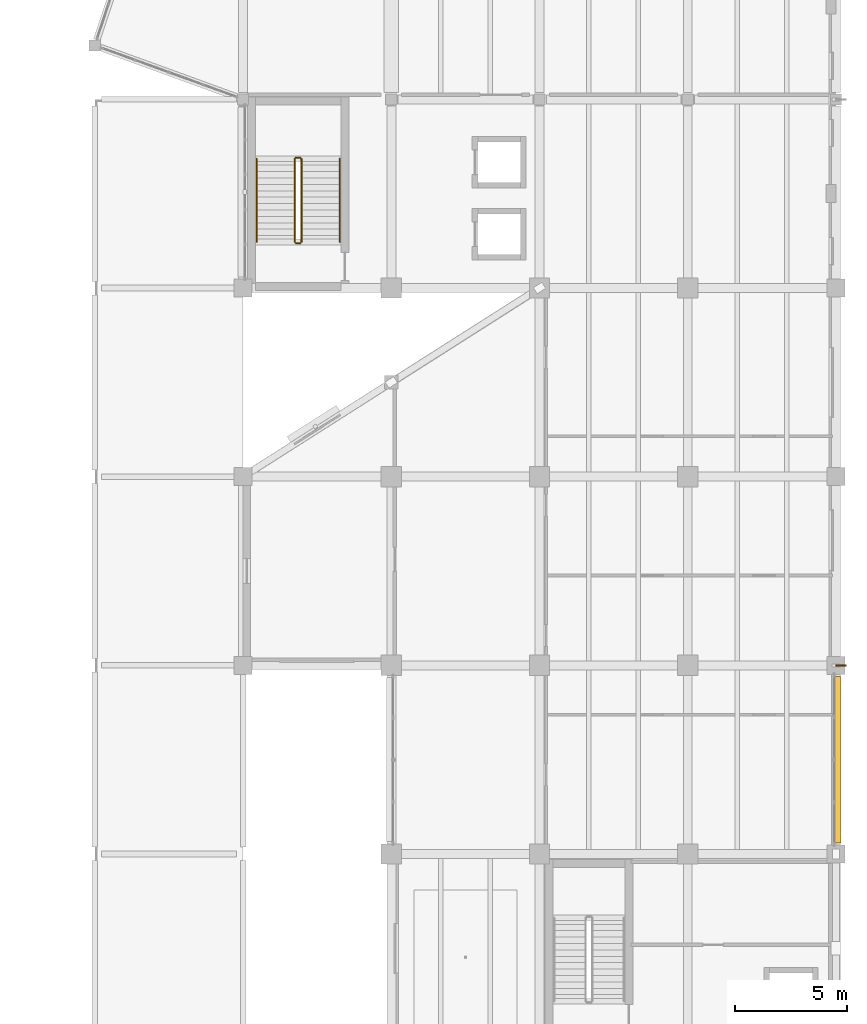
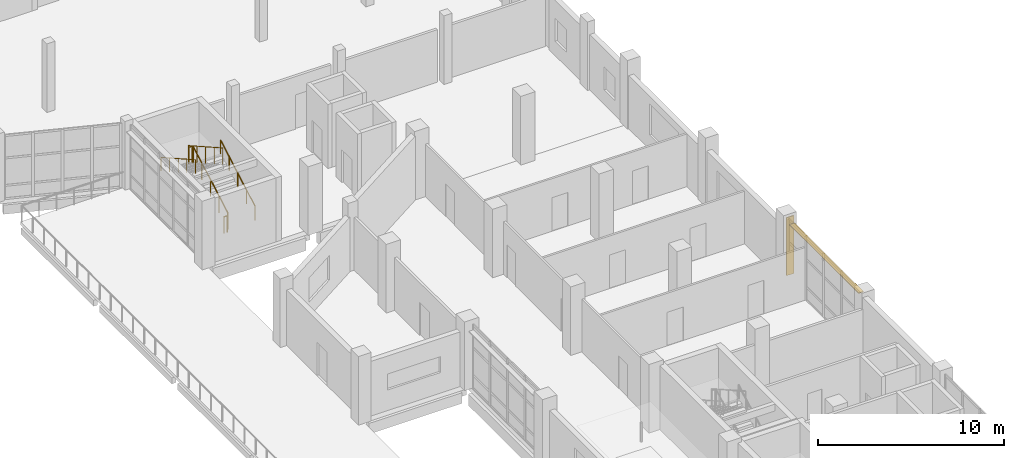
# One storey, part 80 of 83: 6 railings, 2 shading devices.
"""IFC4 building model written with IfcOpenShell, lengths in metres."""

import ifcopenshell
import ifcopenshell.guid

model = None  # the IFC model being written
_history = None  # IfcOwnerHistory: only IFC2X3 demands one
_inside = {}  # id of a spatial element -> (the spatial element, [elements in it])
_under = {}  # id of a project, library or spatial element -> (it, [spatial elements below it])
_declared = {}  # id of a project -> (the project, [libraries it declares])
_typed = {}  # id of a type object -> (the type object, [elements of that type])
_made_of = {}  # id of a material, layer set ... -> (it, [elements and type objects made of it])


def new_model(schema):
    """Start an empty IFC model of exactly this schema.

    Asked for "IFC4X3", IfcOpenShell would pick the latest addendum, in which some entities
    have other attributes; the version numbers below select the first issue.
    IFC2X3 requires an IfcOwnerHistory on every rooted entity: one is made here for all.
    """
    global model, _history
    if schema == "IFC4X3":
        model = ifcopenshell.file(schema_version=(4, 3, 0, 0))
    else:
        model = ifcopenshell.file(schema=schema)
    _inside.clear()
    _under.clear()
    _declared.clear()
    _typed.clear()
    _made_of.clear()
    _history = None
    if model.schema == "IFC2X3":
        org = make("IfcOrganization", Name="unknown")
        user = make(
            "IfcPersonAndOrganization",
            ThePerson=make("IfcPerson", FamilyName="unknown"),
            TheOrganization=org,
        )
        app = make(
            "IfcApplication",
            ApplicationDeveloper=org,
            Version="unknown",
            ApplicationFullName="unknown",
            ApplicationIdentifier="unknown",
        )
        _history = make(
            "IfcOwnerHistory",
            OwningUser=user,
            OwningApplication=app,
            ChangeAction="ADDED",
            CreationDate=0,
        )
    return model


def make(cls, **values):
    """One entity of the class cls with the attributes given. An attribute that is None is left unset."""
    return model.create_entity(
        cls, **{name: value for name, value in values.items() if value is not None}
    )


def rooted(cls, **values):
    """An entity with a GlobalId (a new one), such as an element, a storey or a relation."""
    return make(cls, GlobalId=ifcopenshell.guid.new(), OwnerHistory=_history, **values)


def si_unit(unit_type, name, prefix=None):
    """IfcSIUnit, for example si_unit("LENGTHUNIT", "METRE", prefix="MILLI")."""
    return make("IfcSIUnit", UnitType=unit_type, Prefix=prefix, Name=name)


def assignment(units):
    """IfcUnitAssignment: the units of a project."""
    return None if units is None else make("IfcUnitAssignment", Units=units)


def point(xyz):
    """IfcCartesianPoint."""
    return None if xyz is None else make("IfcCartesianPoint", Coordinates=xyz)


def direction(xyz):
    """IfcDirection."""
    return None if xyz is None else make("IfcDirection", DirectionRatios=xyz)


def frame(location, z_axis=None, x_axis=None):
    """IfcAxis2Placement3D, a coordinate frame: its origin and axes. An axis left out is left unset."""
    return make(
        "IfcAxis2Placement3D",
        Location=point(location),
        Axis=direction(z_axis),
        RefDirection=direction(x_axis),
    )


def frame_2d(location, x_axis=None):
    """IfcAxis2Placement2D, a coordinate frame in the plane: its origin and x axis."""
    return make(
        "IfcAxis2Placement2D", Location=point(location), RefDirection=direction(x_axis)
    )


def origin():
    """The frame at (0, 0, 0) with its axes left unset."""
    return frame((0.0, 0.0, 0.0))


def origin_2d():
    """The frame at (0, 0) in the plane with its x axis left unset."""
    return frame_2d((0.0, 0.0))


def place(relative_to, where):
    """IfcLocalPlacement: puts the frame where relative to a parent placement (None: the world)."""
    return make(
        "IfcLocalPlacement", PlacementRelTo=relative_to, RelativePlacement=where
    )


def context(
    kind, dimensions, precision=None, world=None, true_north=None, identifier=None
):
    """IfcGeometricRepresentationContext, for example the 3D "Model" context."""
    return make(
        "IfcGeometricRepresentationContext",
        ContextIdentifier=identifier,
        ContextType=kind,
        CoordinateSpaceDimension=dimensions,
        Precision=precision,
        WorldCoordinateSystem=world,
        TrueNorth=true_north,
    )


def subcontext(parent, identifier, kind, view, scale=None):
    """IfcGeometricRepresentationSubContext, for example "Body" below "Model"."""
    return make(
        "IfcGeometricRepresentationSubContext",
        ContextIdentifier=identifier,
        ContextType=kind,
        ParentContext=parent,
        TargetScale=scale,
        TargetView=view,
    )


def project(units=None, contexts=None):
    """IfcProject with its units and contexts."""
    return rooted(
        "IfcProject",
        Name="project",
        RepresentationContexts=contexts,
        UnitsInContext=assignment(units),
    )


def spatial(cls, under=None, at=None, **own):
    """A site, building, storey or space (cls), placed at a placement, below another one or the project."""
    s = rooted(cls, ObjectPlacement=at, **own)
    if under is not None:
        _under.setdefault(under.id(), (under, []))[1].append(s)
    return s


def profile(cls, at=None, kind="AREA", **sizes):
    """A parametric profile (cls). Its sizes go by their IFC names, for example OverallWidth=200.0."""
    return make(cls, ProfileType=kind, Position=at, **sizes)


def rectangle(**sizes):
    """IfcRectangleProfileDef."""
    return profile("IfcRectangleProfileDef", **sizes)


def circle(**sizes):
    """IfcCircleProfileDef."""
    return profile("IfcCircleProfileDef", **sizes)


def extrude(swept, where, along, depth):
    """IfcExtrudedAreaSolid: the profile swept, set in the frame where, extruded along a direction by depth."""
    return make(
        "IfcExtrudedAreaSolid",
        SweptArea=swept,
        Position=where,
        ExtrudedDirection=direction(along),
        Depth=depth,
    )


def shape(context_of_items, identifier, shape_type, items):
    """IfcShapeRepresentation: the items that make up one representation, for example the "Body"."""
    return make(
        "IfcShapeRepresentation",
        ContextOfItems=context_of_items,
        RepresentationIdentifier=identifier,
        RepresentationType=shape_type,
        Items=items,
    )


def material(Name=None, Category=None):
    """IfcMaterial."""
    return make("IfcMaterial", Name=Name, Category=Category)


def layer(
    of_material, thickness, ventilated=None, Name=None, Category=None, Priority=None
):
    """IfcMaterialLayer: one layer of a wall or slab, of a material (None: an air gap)."""
    return make(
        "IfcMaterialLayer",
        Material=of_material,
        LayerThickness=thickness,
        IsVentilated=ventilated,
        Name=Name,
        Category=Category,
        Priority=Priority,
    )


def layer_set(layers, Name=None):
    """IfcMaterialLayerSet."""
    return make("IfcMaterialLayerSet", MaterialLayers=layers, LayerSetName=Name)


def made_of(thing, what):
    """Note that an element or type object is made of a material, layer set ...; save() writes the relation."""
    if what is not None:
        _made_of.setdefault(what.id(), (what, []))[1].append(thing)
    return thing


def type_object(cls, material=None, **own):
    """A type object (cls), such as IfcWallType, which elements share."""
    return made_of(rooted(cls, **own), material)


def element(
    cls,
    number,
    at=None,
    inside=None,
    cuts=None,
    type_object=None,
    material=None,
    context=None,
    identifier="Body",
    shape_type=None,
    held_by="IfcProductDefinitionShape",
    body=None,
    shapes=None,
    **own,
):
    """One element of the class cls, such as IfcWall. Its Tag is "e" and its number.

    at: its placement. inside: the storey or other place that contains it. cuts: it is an
    opening in that element (IfcRelVoidsElement). A single representation is given by context,
    identifier, shape_type and body (its items); several are given by shapes. held_by: the class
    of the entity that holds the representations. save() writes the other relations.
    """
    e = rooted(cls, Tag="e%d" % number, ObjectPlacement=at, **own)
    if body is not None:
        shapes = [shape(context, identifier, shape_type, body)]
    if shapes is not None:
        e.Representation = make(held_by, Representations=shapes)
    if inside is not None:
        _inside.setdefault(inside.id(), (inside, []))[1].append(e)
    if cuts is not None:
        rooted(
            "IfcRelVoidsElement", RelatingBuildingElement=cuts, RelatedOpeningElement=e
        )
    if type_object is not None:
        _typed.setdefault(type_object.id(), (type_object, []))[1].append(e)
    return made_of(e, material)


def aggregate(whole, parts):
    """IfcRelAggregates: a whole, such as a stair, and the parts it consists of."""
    return rooted("IfcRelAggregates", RelatingObject=whole, RelatedObjects=parts)


def save(model, path):
    """Write the relations noted so far, then the file.

    IfcRelAggregates (storeys below a building ...), IfcRelContainedInSpatialStructure (elements
    in a storey), IfcRelDefinesByType, IfcRelAssociatesMaterial and IfcRelDeclares: one each for
    every whole, place, type object, material and project.
    """
    for whole, parts in _under.values():
        aggregate(whole, parts)
    for where, things in _inside.values():
        rooted(
            "IfcRelContainedInSpatialStructure",
            RelatedElements=things,
            RelatingStructure=where,
        )
    for kind, things in _typed.values():
        rooted("IfcRelDefinesByType", RelatedObjects=things, RelatingType=kind)
    for what, things in _made_of.values():
        rooted("IfcRelAssociatesMaterial", RelatedObjects=things, RelatingMaterial=what)
    for by, libraries in _declared.values():
        rooted("IfcRelDeclares", RelatingContext=by, RelatedDefinitions=libraries)
    model.write(path)


model = new_model("IFC4")

# Units and contexts
model_context = context("Model", 3, precision=1e-05, world=origin(), true_north=direction((0.0, 1.0)))
body_context = subcontext(model_context, "Body", "Model", "MODEL_VIEW")
ifc_project = project(units=[si_unit("LENGTHUNIT", "METRE"), si_unit("AREAUNIT", "SQUARE_METRE"), si_unit("VOLUMEUNIT", "CUBIC_METRE"), si_unit("PLANEANGLEUNIT", "RADIAN"), si_unit("MASSUNIT", "GRAM", prefix="KILO")], contexts=[model_context])

# Site, building, storey
site_placement = place(None, origin())
site = spatial("IfcSite", under=ifc_project, at=site_placement, CompositionType="ELEMENT")
building_placement = place(site_placement, origin())
building = spatial("IfcBuilding", under=site, at=building_placement, Name="Qaldarim Faculty of Natural and Applied Sciences", CompositionType="ELEMENT")
storey_placement = place(building_placement, frame((0.0, 0.0, 5.39990234375)))
storey = spatial("IfcBuildingStorey", under=building, at=storey_placement, Name="L01", CompositionType="ELEMENT", Elevation=5.39990234375)

# Railings
ifc_material_1 = material(Name="Architectural stainless steel 316", Category="steel")
railing_type_1 = type_object("IfcRailingType", Name="GuardBalustrade-1100", PredefinedType="BALUSTRADE", material=ifc_material_1)
railing_1_placement = place(storey_placement, frame((154.39990234375, 60.85009765625, 0.16015625)))
element("IfcRailing", 1, at=railing_1_placement, inside=storey, type_object=railing_type_1, Name="ST-C1 L01 stair well guard 1", PredefinedType="BALUSTRADE", context=body_context, shape_type="SweptSolid", body=[
    extrude(circle(Radius=0.02392578125, at=origin_2d()), frame((0.0, 0.0, 1.076171875), z_axis=(0.0, 0.87098476549, 0.491310022576), x_axis=(-1.0, 0.0, 0.0)), (0.0, 0.0, 1.0), 4.253662109375),
    extrude(circle(Radius=0.02099609375, at=origin_2d()), origin(), (0.0, 0.0, 1.0), 1.052001953125),
    extrude(circle(Radius=0.02099609375, at=origin_2d()), frame((0.0, 0.92626953125, 0.5224609375)), (0.0, 0.0, 1.0), 1.052001953125),
    extrude(circle(Radius=0.02099609375, at=origin_2d()), frame((0.0, 1.8525390625, 1.044921875)), (0.0, 0.0, 1.0), 1.052001953125),
    extrude(circle(Radius=0.02099609375, at=origin_2d()), frame((0.0, 2.778564453125, 1.5673828125)), (0.0, 0.0, 1.0), 1.052001953125),
    extrude(circle(Radius=0.02099609375, at=origin_2d()), frame((0.0, 3.704833984375, 2.08984375)), (0.0, 0.0, 1.0), 1.052001953125),
])
railing_2_placement = place(storey_placement, frame((154.35009765625, 64.60498046875, 2.25)))
element("IfcRailing", 2, at=railing_2_placement, inside=storey, type_object=railing_type_1, Name="ST-C1 L01 stair well guard 2", PredefinedType="BALUSTRADE", context=body_context, shape_type="SweptSolid", body=[
    extrude(circle(Radius=0.02392578125, at=origin_2d()), frame((0.0, 0.0, 1.076171875), z_axis=(-1.0, 0.0, 0.0), x_axis=(0.0, -1.0, 0.0)), (0.0, 0.0, 1.0), 0.2001953125),
    extrude(circle(Radius=0.02099609375, at=origin_2d()), origin(), (0.0, 0.0, 1.0), 1.052001953125),
    extrude(circle(Radius=0.02099609375, at=origin_2d()), frame((-0.2001953125, 0.0, 0.0)), (0.0, 0.0, 1.0), 1.052001953125),
])
railing_3_placement = place(storey_placement, frame((154.10009765625, 64.554931640625, 2.41015625)))
element("IfcRailing", 3, at=railing_3_placement, inside=storey, type_object=railing_type_1, Name="ST-C1 L01 stair well guard 3", PredefinedType="BALUSTRADE", context=body_context, shape_type="SweptSolid", body=[
    extrude(circle(Radius=0.02392578125, at=origin_2d()), frame((0.0, 0.0, 1.076171875), z_axis=(0.0, -0.87098476549, 0.491310022576), x_axis=(1.0, 0.0, 0.0)), (0.0, 0.0, 1.0), 4.253662109375),
    extrude(circle(Radius=0.02099609375, at=origin_2d()), origin(), (0.0, 0.0, 1.0), 1.052001953125),
    extrude(circle(Radius=0.02099609375, at=origin_2d()), frame((0.0, -0.92626953125, 0.5224609375)), (0.0, 0.0, 1.0), 1.052001953125),
    extrude(circle(Radius=0.02099609375, at=origin_2d()), frame((0.0, -1.8525390625, 1.044921875)), (0.0, 0.0, 1.0), 1.052001953125),
    extrude(circle(Radius=0.02099609375, at=origin_2d()), frame((0.0, -2.778564453125, 1.5673828125)), (0.0, 0.0, 1.0), 1.052001953125),
    extrude(circle(Radius=0.02099609375, at=origin_2d()), frame((0.0, -3.704833984375, 2.08984375)), (0.0, 0.0, 1.0), 1.052001953125),
])
railing_4_placement = place(storey_placement, frame((154.35009765625, 60.800048828125, 0.0)))
element("IfcRailing", 4, at=railing_4_placement, inside=storey, type_object=railing_type_1, Name="ST-C1 L01 stair well guard 4", PredefinedType="BALUSTRADE", context=body_context, shape_type="SweptSolid", body=[
    extrude(circle(Radius=0.02392578125, at=origin_2d()), frame((0.0, 0.0, 1.076171875), z_axis=(-1.0, 0.0, 0.0), x_axis=(0.0, -1.0, 0.0)), (0.0, 0.0, 1.0), 0.2001953125),
    extrude(circle(Radius=0.02099609375, at=origin_2d()), origin(), (0.0, 0.0, 1.0), 1.052001953125),
    extrude(circle(Radius=0.02099609375, at=origin_2d()), frame((-0.2001953125, 0.0, 0.0)), (0.0, 0.0, 1.0), 1.052001953125),
])

# Shading device
ifc_material_2 = material(Name="Champagne anodised aluminium AW-6063", Category="aluminium")
ifc_layer_1 = layer(ifc_material_2, 0.050048828125)
ifc_layer_set_1 = layer_set([ifc_layer_1], Name="Champagne anodised aluminium AW-6063")
shading_device_type_1 = type_object("IfcShadingDeviceType", Name="SolarLouvre-ALU300x50", PredefinedType="JALOUSIE", material=ifc_layer_set_1)
shading_device_1_placement = place(storey_placement, frame((178.27001953125, 37.800048828125, 3.8251953125), z_axis=(0.0, 0.0, 1.0), x_axis=(0.0, 1.0, 0.0)))
element("IfcShadingDevice", 5, at=shading_device_1_placement, inside=storey, type_object=shading_device_type_1, Name="Horizontal solar louvre L01 E X27Y05", PredefinedType="JALOUSIE", context=body_context, shape_type="SweptSolid", body=[
    extrude(rectangle(XDim=7.409912109375, YDim=0.300048828125, at=origin_2d()), origin(), (0.0, 0.0, 1.0), 0.050048828125),
])

# Railings
railing_type_2 = type_object("IfcRailingType", Name="StairHandrail-920", PredefinedType="HANDRAIL", material=ifc_material_1)
railing_5_placement = place(storey_placement, frame((156.10009765625, 60.85009765625, 0.16015625)))
element("IfcRailing", 6, at=railing_5_placement, inside=storey, type_object=railing_type_2, Name="ST-C1 L01 stair handrail 1", PredefinedType="HANDRAIL", context=body_context, shape_type="SweptSolid", body=[
    extrude(circle(Radius=0.02392578125, at=origin_2d()), frame((0.0, 0.0, 0.89599609375), z_axis=(0.0, 0.87098476549, 0.491310022576), x_axis=(-1.0, 0.0, 0.0)), (0.0, 0.0, 1.0), 4.253662109375),
    extrude(circle(Radius=0.02099609375, at=origin_2d()), origin(), (0.0, 0.0, 1.0), 0.871826171875),
    extrude(circle(Radius=0.02099609375, at=origin_2d()), frame((0.0, 0.92626953125, 0.5224609375)), (0.0, 0.0, 1.0), 0.871826171875),
    extrude(circle(Radius=0.02099609375, at=origin_2d()), frame((0.0, 1.8525390625, 1.044921875)), (0.0, 0.0, 1.0), 0.871826171875),
    extrude(circle(Radius=0.02099609375, at=origin_2d()), frame((0.0, 2.778564453125, 1.5673828125)), (0.0, 0.0, 1.0), 0.871826171875),
    extrude(circle(Radius=0.02099609375, at=origin_2d()), frame((0.0, 3.704833984375, 2.08984375)), (0.0, 0.0, 1.0), 0.871826171875),
])
railing_6_placement = place(storey_placement, frame((152.39990234375, 64.554931640625, 2.41015625)))
element("IfcRailing", 7, at=railing_6_placement, inside=storey, type_object=railing_type_2, Name="ST-C1 L01 stair handrail 2", PredefinedType="HANDRAIL", context=body_context, shape_type="SweptSolid", body=[
    extrude(circle(Radius=0.02392578125, at=origin_2d()), frame((0.0, 0.0, 0.89599609375), z_axis=(0.0, -0.87098476549, 0.491310022576), x_axis=(1.0, 0.0, 0.0)), (0.0, 0.0, 1.0), 4.253662109375),
    extrude(circle(Radius=0.02099609375, at=origin_2d()), origin(), (0.0, 0.0, 1.0), 0.871826171875),
    extrude(circle(Radius=0.02099609375, at=origin_2d()), frame((0.0, -0.92626953125, 0.5224609375)), (0.0, 0.0, 1.0), 0.871826171875),
    extrude(circle(Radius=0.02099609375, at=origin_2d()), frame((0.0, -1.8525390625, 1.044921875)), (0.0, 0.0, 1.0), 0.871826171875),
    extrude(circle(Radius=0.02099609375, at=origin_2d()), frame((0.0, -2.778564453125, 1.5673828125)), (0.0, 0.0, 1.0), 0.871826171875),
    extrude(circle(Radius=0.02099609375, at=origin_2d()), frame((0.0, -3.704833984375, 2.08984375)), (0.0, 0.0, 1.0), 0.871826171875),
])

# Shading device
ifc_layer_2 = layer(ifc_material_2, 0.06005859375)
ifc_layer_set_2 = layer_set([ifc_layer_2], Name="Champagne anodised aluminium AW-6063")
shading_device_type_2 = type_object("IfcShadingDeviceType", Name="VerticalSunFin-ALU450x60", PredefinedType="SHUTTER", material=ifc_layer_set_2)
shading_device_2_placement = place(storey_placement, frame((178.425048828125, 42.0, 0.2001953125), z_axis=(0.0, 0.0, 1.0), x_axis=(1.0, 0.0, 0.0)))
element("IfcShadingDevice", 8, at=shading_device_2_placement, inside=storey, type_object=shading_device_type_2, Name="Vertical solar fin FIN-L01-X28Y06", PredefinedType="SHUTTER", context=body_context, shape_type="SweptSolid", body=[
    extrude(rectangle(XDim=0.449951171875, YDim=0.06005859375, at=origin_2d()), origin(), (0.0, 0.0, 1.0), 3.800048828125),
])

save(model, "model.ifc")
